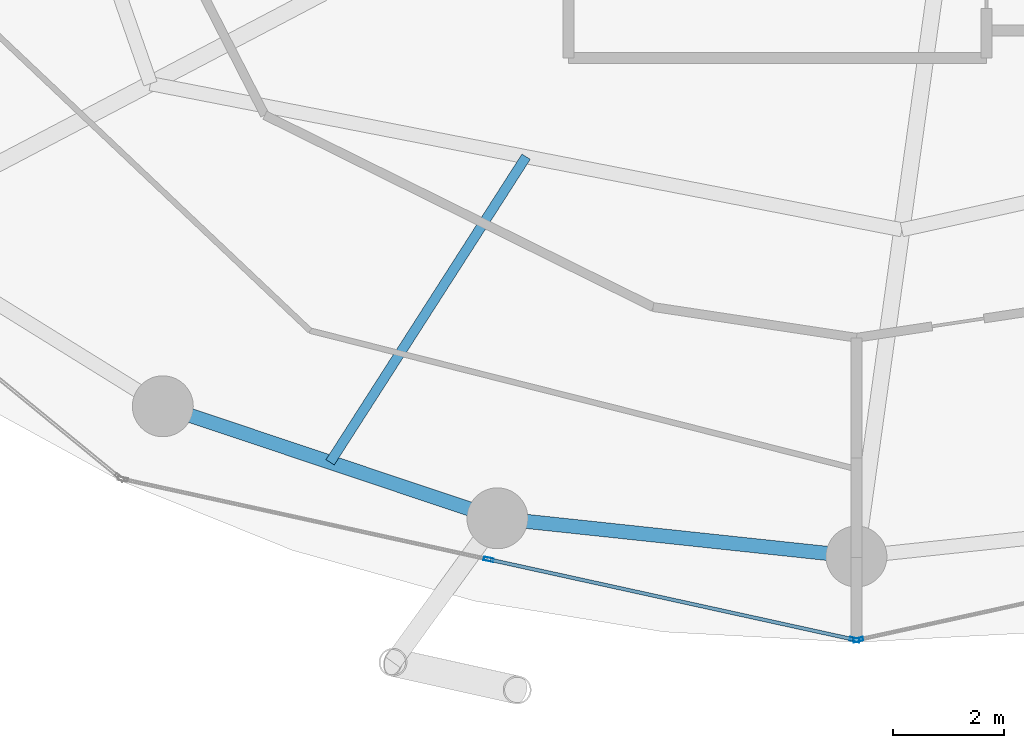
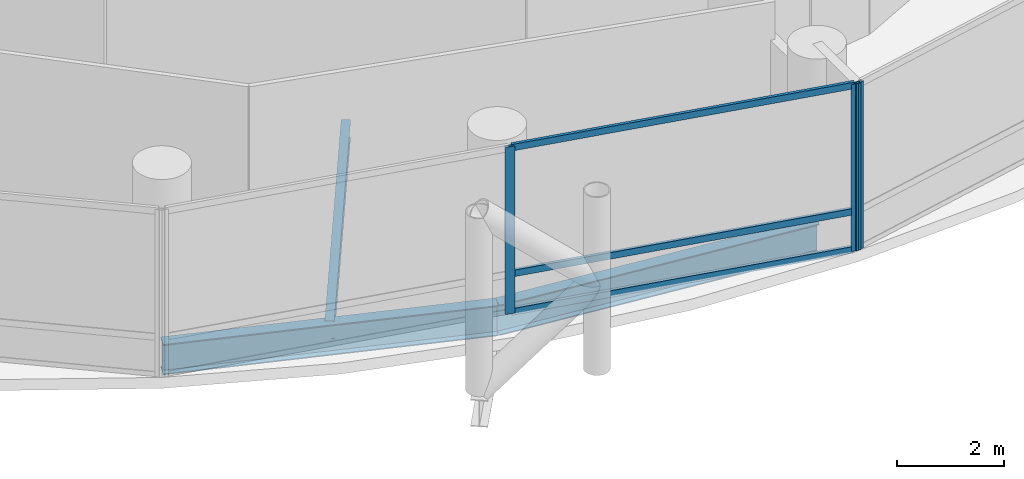
# One storey, part 4 of 24: 6 members, 3 beams, 2 elements without a shape of their own.
"""IFC4 building model written with IfcOpenShell, lengths in metres."""

from ifc_helpers import new_model, si_unit, direction, frame, origin, origin_2d, place, context, subcontext, project, spatial, hollow_rectangle, i_section, extrude, material, layer, layer_set, material_profile, profile_set, type_object, element, aggregate, save


model = new_model("IFC4")

# Units and contexts
model_context = context("Model", 3, precision=1e-05, world=origin(), true_north=direction((0.0, 1.0)))
body_context = subcontext(model_context, "Body", "Model", "MODEL_VIEW")
ifc_project = project(units=[si_unit("LENGTHUNIT", "METRE"), si_unit("AREAUNIT", "SQUARE_METRE"), si_unit("VOLUMEUNIT", "CUBIC_METRE"), si_unit("PLANEANGLEUNIT", "RADIAN"), si_unit("MASSUNIT", "GRAM", prefix="KILO")], contexts=[model_context])

# Site, building, storey
site_placement = place(None, origin())
site = spatial("IfcSite", under=ifc_project, at=site_placement, CompositionType="ELEMENT")
building_placement = place(site_placement, origin())
building = spatial("IfcBuilding", under=site, at=building_placement, Name="Nuhasar Tower", CompositionType="ELEMENT")
storey_placement = place(building_placement, frame((0.0, 0.0, 73.64990234375)))
storey = spatial("IfcBuildingStorey", under=building, at=storey_placement, Name="L17", CompositionType="ELEMENT", Elevation=73.64990234375)

# Beams
ifc_material_1 = material(Name="Steel S355", Category="steel")
ifc_material_profile_1 = material_profile(ifc_material_1, i_section(OverallWidth=0.177978515625, OverallDepth=0.406005859375, WebThickness=0.0078125, FlangeThickness=0.0126953125, at=origin_2d()), Name="W16X40")
ifc_profile_set_1 = profile_set([ifc_material_profile_1], Name="Steel S355")
beam_type_1 = type_object("IfcBeamType", Name="BM-JST-W16X40", PredefinedType="JOIST", material=ifc_profile_set_1)
beam_1_placement = place(storey_placement, frame((33.035888671875, 13.77001953125, -0.452880859375), z_axis=(-0.539944240715, -0.841700788237, 0.0), x_axis=(0.841700788237, -0.539944240715, 0.0)))
element("IfcBeam", 1, at=beam_1_placement, inside=storey, type_object=beam_type_1, Name="L17 Secondary Floor Joist 01", PredefinedType="JOIST", context=body_context, shape_type="SweptSolid", body=[
    extrude(i_section(OverallWidth=0.177978515625, OverallDepth=0.406005859375, WebThickness=0.0078125, FlangeThickness=0.0126953125, at=origin_2d()), origin(), (0.0, 0.0, 1.0), 6.555908203125),
])
ifc_material_profile_2 = material_profile(ifc_material_1, i_section(OverallWidth=0.256103515625, OverallDepth=0.693115234375, WebThickness=0.014404296875, FlangeThickness=0.023681640625, at=origin_2d()), Name="W27X114")
ifc_profile_set_2 = profile_set([ifc_material_profile_2], Name="Steel S355")
beam_type_2 = type_object("IfcBeamType", Name="BM-RING-W27X114", PredefinedType="SPANDREL", material=ifc_profile_set_2)
beam_2_placement = place(storey_placement, frame((26.47509765625, 9.262939453125, -0.596923828125), z_axis=(0.94826097201, -0.317491935271, 0.0), x_axis=(0.317491935271, 0.94826097201, 0.0)))
element("IfcBeam", 2, at=beam_2_placement, inside=storey, type_object=beam_type_2, Name="L17 Perimeter Ring Spandrel 17", PredefinedType="SPANDREL", context=body_context, shape_type="SweptSolid", body=[
    extrude(i_section(OverallWidth=0.256103515625, OverallDepth=0.693115234375, WebThickness=0.014404296875, FlangeThickness=0.023681640625, at=origin_2d()), origin(), (0.0, 0.0, 1.0), 6.37158203125),
])
beam_3_placement = place(storey_placement, frame((32.51708984375, 7.239990234375, -0.596923828125), z_axis=(0.994384554061, -0.105827022286, 0.0), x_axis=(0.105827022286, 0.994384554061, 0.0)))
element("IfcBeam", 3, at=beam_3_placement, inside=storey, type_object=beam_type_2, Name="L17 Perimeter Ring Spandrel 18", PredefinedType="SPANDREL", context=body_context, shape_type="SweptSolid", body=[
    extrude(i_section(OverallWidth=0.256103515625, OverallDepth=0.693115234375, WebThickness=0.014404296875, FlangeThickness=0.023681640625, at=origin_2d()), origin(), (0.0, 0.0, 1.0), 6.51953125),
])

# Curtain wall, members
ifc_material_2 = material(Name="Aluminium 6063-T6", Category="aluminium")
ifc_layer = layer(ifc_material_2, 0.199951171875)
ifc_layer_set = layer_set([ifc_layer], Name="Aluminium 6063-T6")
curtain_wall_type = type_object("IfcCurtainWallType", Name="CW-Z1-OFF", PredefinedType="NOTDEFINED", material=ifc_layer_set)
curtain_wall_1_placement = place(storey_placement, origin())
curtain_wall_1 = element("IfcCurtainWall", 4, at=curtain_wall_1_placement, inside=storey, type_object=curtain_wall_type, Name="L17 Unitised Curtain Wall 09", PredefinedType="NOTDEFINED")
ifc_material_profile_3 = material_profile(ifc_material_2, hollow_rectangle(XDim=0.06494140625, YDim=0.179931640625, WallThickness=0.0048828125, at=origin_2d()), Name="CWM-2")
ifc_profile_set_3 = profile_set([ifc_material_profile_3], Name="Aluminium 6063-T6")
member_type_1 = type_object("IfcMemberType", Name="CW-MUL-S2", PredefinedType="MULLION", material=ifc_profile_set_3)
member_1_placement = place(storey_placement, frame((32.360107421875, 6.49755859375, 0.0), z_axis=(0.0, 0.0, 1.0), x_axis=(0.214398737637, 0.976746221544, 0.0)))
member_1 = element("IfcMember", 5, at=member_1_placement, type_object=member_type_1, Name="CW-Z1 mullion 2", PredefinedType="MULLION", context=body_context, shape_type="SweptSolid", body=[
    extrude(hollow_rectangle(XDim=0.06494140625, YDim=0.179931640625, WallThickness=0.0048828125, at=origin_2d()), origin(), (0.0, 0.0, 1.0), 3.800048828125),
])
member_2_placement = place(storey_placement, frame((38.96826171875, 5.046875, 0.0), z_axis=(0.0, 0.0, 1.0), x_axis=(0.214398737637, 0.976746221544, 0.0)))
member_2 = element("IfcMember", 6, at=member_2_placement, type_object=member_type_1, Name="CW-Z1 mullion 3", PredefinedType="MULLION", context=body_context, shape_type="SweptSolid", body=[
    extrude(hollow_rectangle(XDim=0.06494140625, YDim=0.179931640625, WallThickness=0.0048828125, at=origin_2d()), origin(), (0.0, 0.0, 1.0), 3.800048828125),
])

# Curtain wall, member
curtain_wall_2_placement = place(storey_placement, origin())
curtain_wall_2 = element("IfcCurtainWall", 7, at=curtain_wall_2_placement, inside=storey, type_object=curtain_wall_type, Name="L17 Unitised Curtain Wall 10", PredefinedType="NOTDEFINED")
member_3_placement = place(storey_placement, frame((39.03173828125, 5.046875, 0.0), z_axis=(0.0, 0.0, 1.0), x_axis=(-0.214398737637, 0.976746221544, 0.0)))
member_3 = element("IfcMember", 8, at=member_3_placement, type_object=member_type_1, Name="CW-Z1 mullion 1", PredefinedType="MULLION", context=body_context, shape_type="SweptSolid", body=[
    extrude(hollow_rectangle(XDim=0.06494140625, YDim=0.179931640625, WallThickness=0.0048828125, at=origin_2d()), origin(), (0.0, 0.0, 1.0), 3.800048828125),
])
aggregate(curtain_wall_2, [member_3])

# Member
ifc_material_profile_4 = material_profile(ifc_material_2, hollow_rectangle(XDim=0.06494140625, YDim=0.14990234375, WallThickness=0.00439453125, at=origin_2d()), Name="CWT-2")
ifc_profile_set_4 = profile_set([ifc_material_profile_4], Name="Aluminium 6063-T6")
member_type_2 = type_object("IfcMemberType", Name="CW-TRN-S2", PredefinedType="USERDEFINED", material=ifc_profile_set_4)
member_4_placement = place(storey_placement, frame((32.391845703125, 6.490478515625, 0.03271484375), z_axis=(0.976747879138, -0.214391185916, 0.0), x_axis=(0.214391185916, 0.976747879138, 0.0)))
member_4 = element("IfcMember", 9, at=member_4_placement, type_object=member_type_2, Name="CW-Z1 transom 2.1", ObjectType="TRANSOM", PredefinedType="USERDEFINED", context=body_context, shape_type="SweptSolid", body=[
    extrude(hollow_rectangle(XDim=0.06494140625, YDim=0.14990234375, WallThickness=0.00439453125, at=origin_2d()), origin(), (0.0, 0.0, 1.0), 6.700439453125),
])

member_5_placement = place(storey_placement, frame((32.391845703125, 6.490478515625, 0.900146484375), z_axis=(0.976747879138, -0.214391185916, 0.0), x_axis=(0.214391185916, 0.976747879138, 0.0)))
member_5 = element("IfcMember", 10, at=member_5_placement, type_object=member_type_2, Name="CW-Z1 transom 2.2", ObjectType="TRANSOM", PredefinedType="USERDEFINED", context=body_context, shape_type="SweptSolid", body=[
    extrude(hollow_rectangle(XDim=0.06494140625, YDim=0.14990234375, WallThickness=0.00439453125, at=origin_2d()), origin(), (0.0, 0.0, 1.0), 6.700439453125),
])

member_6_placement = place(storey_placement, frame((32.391845703125, 6.490478515625, 3.767578125), z_axis=(0.976747879138, -0.214391185916, 0.0), x_axis=(0.214391185916, 0.976747879138, 0.0)))
member_6 = element("IfcMember", 11, at=member_6_placement, type_object=member_type_2, Name="CW-Z1 transom 2.3", ObjectType="TRANSOM", PredefinedType="USERDEFINED", context=body_context, shape_type="SweptSolid", body=[
    extrude(hollow_rectangle(XDim=0.06494140625, YDim=0.14990234375, WallThickness=0.00439453125, at=origin_2d()), origin(), (0.0, 0.0, 1.0), 6.700439453125),
])

aggregate(curtain_wall_1, [member_1, member_2, member_4, member_5, member_6])

save(model, "model.ifc")
